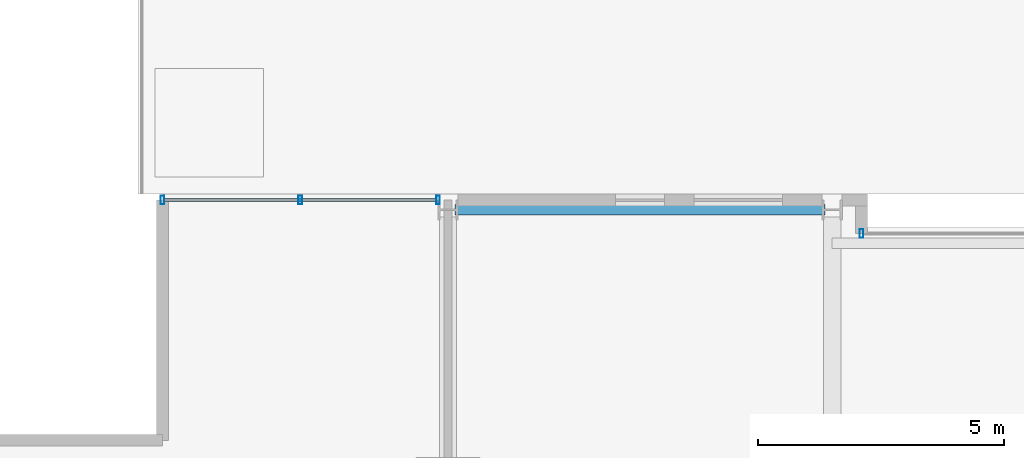
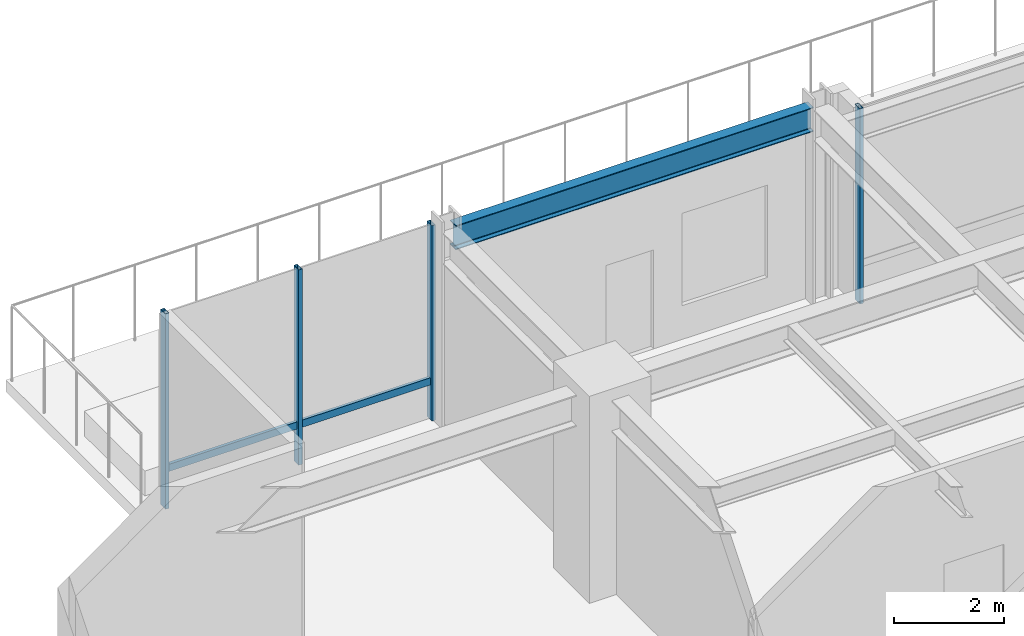
# One storey, part 21 of 32: 5 members, 1 beam, 2 elements without a shape of their own.
"""IFC4 building model written with IfcOpenShell, lengths in metres."""

from ifc_helpers import new_model, si_unit, direction, frame, origin, origin_2d, place, context, subcontext, project, spatial, hollow_rectangle, i_section, extrude, material, layer, layer_set, material_profile, profile_set, type_object, element, aggregate, save


model = new_model("IFC4")

# Units and contexts
model_context = context("Model", 3, precision=1e-05, world=origin(), true_north=direction((0.0, 1.0)))
body_context = subcontext(model_context, "Body", "Model", "MODEL_VIEW")
ifc_project = project(units=[si_unit("LENGTHUNIT", "METRE"), si_unit("AREAUNIT", "SQUARE_METRE"), si_unit("VOLUMEUNIT", "CUBIC_METRE"), si_unit("PLANEANGLEUNIT", "RADIAN"), si_unit("MASSUNIT", "GRAM", prefix="KILO")], contexts=[model_context])

# Site, building, storey
site_placement = place(None, origin())
site = spatial("IfcSite", under=ifc_project, at=site_placement, CompositionType="ELEMENT")
building_placement = place(site_placement, origin())
building = spatial("IfcBuilding", under=site, at=building_placement, Name="Drelvath Grand Hotel", CompositionType="ELEMENT")
storey_placement = place(building_placement, frame((0.0, 0.0, 145.800048828125)))
storey = spatial("IfcBuildingStorey", under=building, at=storey_placement, Name="L37", CompositionType="ELEMENT", Elevation=145.800048828125)

# Curtain wall, members
ifc_material_1 = material(Name="Brushed Pale-Silver Anodised Aluminium Frame", Category="aluminium")
ifc_layer = layer(ifc_material_1, 0.199951171875)
ifc_layer_set = layer_set([ifc_layer], Name="Brushed Pale-Silver Anodised Aluminium Frame")
curtain_wall_type = type_object("IfcCurtainWallType", Name="Stick Curtain Wall CW-04 Brushed Silver Upper-Mid", PredefinedType="NOTDEFINED", material=ifc_layer_set)
curtain_wall_1_placement = place(storey_placement, origin())
curtain_wall_1 = element("IfcCurtainWall", 1, at=curtain_wall_1_placement, inside=storey, type_object=curtain_wall_type, Name="L37 CW-04 Curtain Wall CW04-L37-NW1", PredefinedType="NOTDEFINED")
ifc_material_profile_1 = material_profile(ifc_material_1, hollow_rectangle(XDim=0.06494140625, YDim=0.159912109375, WallThickness=0.00390625, at=origin_2d()), Name="HSS160X65X4")
ifc_profile_set_1 = profile_set([ifc_material_profile_1], Name="Brushed Pale-Silver Anodised Aluminium Frame")
member_type_1 = type_object("IfcMemberType", Name="Curtain Wall Horizontal Transom CW-04 HSS160X65X4", PredefinedType="USERDEFINED", material=ifc_profile_set_1)
member_1_placement = place(storey_placement, frame((-21.9599609375, 49.080078125, 0.849853515625), z_axis=(1.0, 0.0, 0.0), x_axis=(0.0, 1.0, 0.0)))
member_1 = element("IfcMember", 2, at=member_1_placement, type_object=member_type_1, Name="CW04-L37-NW1 Sill Transom", ObjectType="TRANSOM", PredefinedType="USERDEFINED", context=body_context, shape_type="SweptSolid", body=[
    extrude(hollow_rectangle(XDim=0.06494140625, YDim=0.159912109375, WallThickness=0.00390625, at=origin_2d()), origin(), (0.0, 0.0, 1.0), 5.519775390625),
])
ifc_material_profile_2 = material_profile(ifc_material_1, hollow_rectangle(XDim=0.074951171875, YDim=0.179931640625, WallThickness=0.0048828125, at=origin_2d()), Name="HSS180X75X5")
ifc_profile_set_2 = profile_set([ifc_material_profile_2], Name="Brushed Pale-Silver Anodised Aluminium Frame")
member_type_2 = type_object("IfcMemberType", Name="Curtain Wall Vertical Mullion CW-04 HSS180X75X5", PredefinedType="MULLION", material=ifc_profile_set_2)
member_2_placement = place(storey_placement, frame((-22.0, 49.080078125, 0.0), z_axis=(0.0, 0.0, 1.0), x_axis=(1.0, 0.0, 0.0)))
member_2 = element("IfcMember", 3, at=member_2_placement, type_object=member_type_2, Name="CW04-L37-NW1 Mullion 1", PredefinedType="MULLION", context=body_context, shape_type="SweptSolid", body=[
    extrude(hollow_rectangle(XDim=0.074951171875, YDim=0.179931640625, WallThickness=0.0048828125, at=origin_2d()), origin(), (0.0, 0.0, 1.0), 4.33984375),
])
member_3_placement = place(storey_placement, frame((-19.199951171875, 49.080078125, 0.0), z_axis=(0.0, 0.0, 1.0), x_axis=(1.0, 0.0, 0.0)))
member_3 = element("IfcMember", 4, at=member_3_placement, type_object=member_type_2, Name="CW04-L37-NW1 Mullion 2", PredefinedType="MULLION", context=body_context, shape_type="SweptSolid", body=[
    extrude(hollow_rectangle(XDim=0.074951171875, YDim=0.179931640625, WallThickness=0.0048828125, at=origin_2d()), origin(), (0.0, 0.0, 1.0), 4.33984375),
])
member_4_placement = place(storey_placement, frame((-16.400146484375, 49.080078125, 0.0), z_axis=(0.0, 0.0, 1.0), x_axis=(1.0, 0.0, 0.0)))
member_4 = element("IfcMember", 5, at=member_4_placement, type_object=member_type_2, Name="CW04-L37-NW1 Mullion 3", PredefinedType="MULLION", context=body_context, shape_type="SweptSolid", body=[
    extrude(hollow_rectangle(XDim=0.074951171875, YDim=0.179931640625, WallThickness=0.0048828125, at=origin_2d()), origin(), (0.0, 0.0, 1.0), 4.33984375),
])
aggregate(curtain_wall_1, [member_2, member_3, member_4, member_1])

# Curtain wall, member
curtain_wall_2_placement = place(storey_placement, origin())
curtain_wall_2 = element("IfcCurtainWall", 6, at=curtain_wall_2_placement, inside=storey, type_object=curtain_wall_type, Name="L37 CW-04 Curtain Wall CW04-L37-NM1", PredefinedType="NOTDEFINED")
member_5_placement = place(storey_placement, frame((-7.800048828125, 48.39990234375, 0.0), z_axis=(0.0, 0.0, 1.0), x_axis=(1.0, 0.0, 0.0)))
member_5 = element("IfcMember", 7, at=member_5_placement, type_object=member_type_2, Name="CW04-L37-NM1 Mullion 1", PredefinedType="MULLION", context=body_context, shape_type="SweptSolid", body=[
    extrude(hollow_rectangle(XDim=0.074951171875, YDim=0.179931640625, WallThickness=0.0048828125, at=origin_2d()), origin(), (0.0, 0.0, 1.0), 4.33984375),
])
aggregate(curtain_wall_2, [member_5])

# Beam
ifc_material_2 = material(Name="Steel ASTM A992 Gr 50", Category="steel")
ifc_material_profile_3 = material_profile(ifc_material_2, i_section(OverallWidth=0.210205078125, OverallDepth=0.53662109375, WebThickness=0.010986328125, FlangeThickness=0.017333984375, FilletRadius=0.01806640625, at=origin_2d()), Name="W21X68")
ifc_profile_set_3 = profile_set([ifc_material_profile_3], Name="Steel ASTM A992 Gr 50")
beam_type = type_object("IfcBeamType", Name="Perimeter Spandrel Beam W21X68", PredefinedType="SPANDREL", material=ifc_profile_set_3)
beam_placement = place(storey_placement, frame((-16.06005859375, 48.8798828125, 4.071533203125), z_axis=(1.0, 0.0, 0.0), x_axis=(0.0, 1.0, 0.0)))
element("IfcBeam", 8, at=beam_placement, inside=storey, type_object=beam_type, Name="L37 Spandrel North W", PredefinedType="SPANDREL", context=body_context, shape_type="SweptSolid", body=[
    extrude(i_section(OverallWidth=0.210205078125, OverallDepth=0.53662109375, WebThickness=0.010986328125, FlangeThickness=0.017333984375, FilletRadius=0.01806640625, at=origin_2d()), origin(), (0.0, 0.0, 1.0), 7.52001953125),
])

save(model, "model.ifc")
